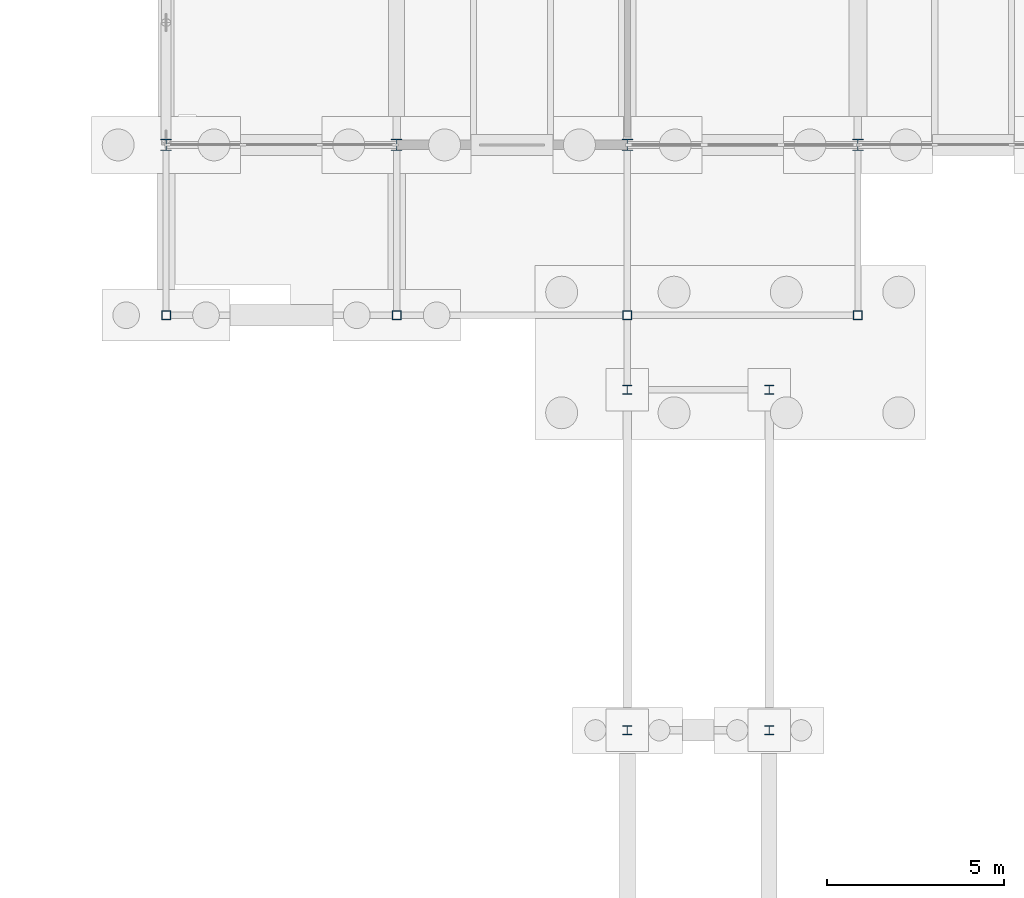
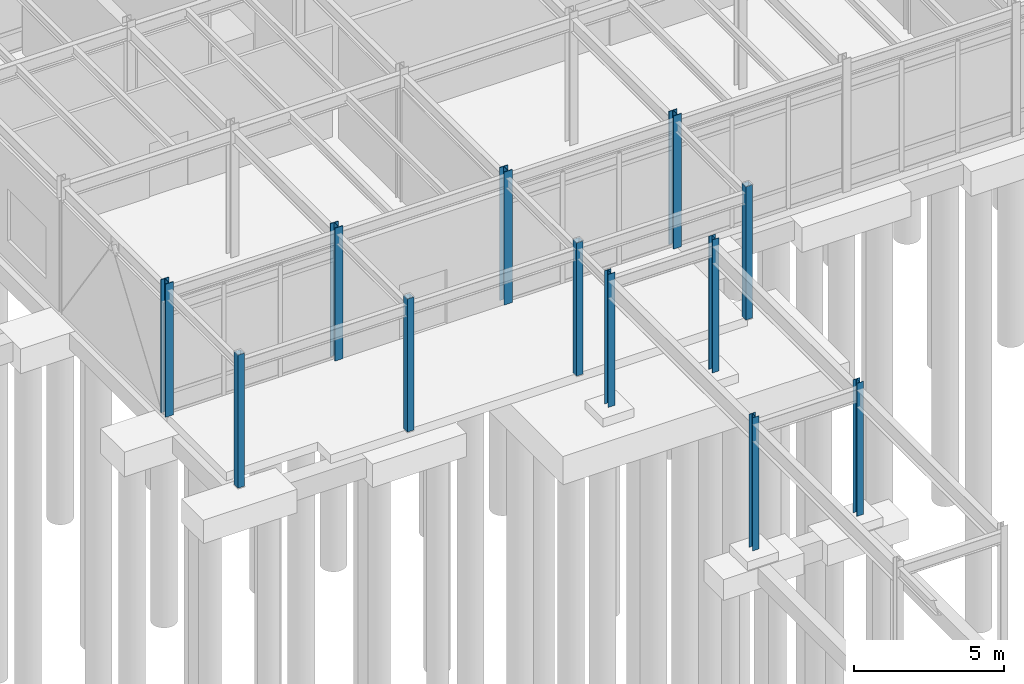
# One storey, part 19 of 82: 12 columns.
"""IFC4 building model written with IfcOpenShell, lengths in metres."""

from ifc_helpers import new_model, si_unit, direction, frame, origin, origin_2d, place, context, subcontext, project, spatial, hollow_rectangle, i_section, extrude, material, material_profile, profile_set, type_object, element, save


model = new_model("IFC4")

# Units and contexts
model_context = context("Model", 3, precision=1e-05, world=origin(), true_north=direction((0.0, 1.0)))
body_context = subcontext(model_context, "Body", "Model", "MODEL_VIEW")
ifc_project = project(units=[si_unit("LENGTHUNIT", "METRE"), si_unit("AREAUNIT", "SQUARE_METRE"), si_unit("VOLUMEUNIT", "CUBIC_METRE"), si_unit("PLANEANGLEUNIT", "RADIAN"), si_unit("MASSUNIT", "GRAM", prefix="KILO")], contexts=[model_context])

# Site, building, storey
site_placement = place(None, origin())
site = spatial("IfcSite", under=ifc_project, at=site_placement, CompositionType="ELEMENT")
building_placement = place(site_placement, origin())
building = spatial("IfcBuilding", under=site, at=building_placement, Name="Trelmorton Wharf Fire Station", CompositionType="ELEMENT")
storey_placement = place(building_placement, origin())
storey = spatial("IfcBuildingStorey", under=building, at=storey_placement, Name="L00", CompositionType="ELEMENT", Elevation=0.0)

# Columns
ifc_material_1 = material(Name="Steel Grade 350", Category="steel")
ifc_material_profile_1 = material_profile(ifc_material_1, i_section(OverallWidth=0.25390625, OverallDepth=0.25390625, WebThickness=0.008544921875, FlangeThickness=0.01416015625, FilletRadius=0.0126953125, at=origin_2d()), Name="250UC72.9")
ifc_profile_set_1 = profile_set([ifc_material_profile_1], Name="Steel Grade 350")
column_type_1 = type_object("IfcColumnType", Name="COL_250UC73", PredefinedType="COLUMN", material=ifc_profile_set_1)
for number, where, z_axis, x_axis, name in (
    (1, (117.0, 43.800048828125, 0.0), (0.0, 0.0, 1.0), (1.0, 0.0, 0.0), "COL-L00-0172"),
    (2, (117.0, 53.39990234375, 0.0), (0.0, 0.0, 1.0), (1.0, 0.0, 0.0), "COL-L00-0173"),
    (3, (121.0, 43.800048828125, 0.0), (0.0, 0.0, 1.0), (1.0, 0.0, 0.0), "COL-L00-0180"),
    (4, (121.0, 53.39990234375, 0.0), (0.0, 0.0, 1.0), (1.0, 0.0, 0.0), "COL-L00-0181"),
):
    element("IfcColumn", number, at=place(storey_placement, frame(where, z_axis=z_axis, x_axis=x_axis)), inside=storey, type_object=column_type_1, Name=name, PredefinedType="COLUMN", context=body_context, shape_type="SweptSolid", body=[
        extrude(i_section(OverallWidth=0.25390625, OverallDepth=0.25390625, WebThickness=0.008544921875, FlangeThickness=0.01416015625, FilletRadius=0.0126953125, at=origin_2d()), origin(), (0.0, 0.0, 1.0), 5.39990234375),
    ])
ifc_material_profile_2 = material_profile(ifc_material_1, i_section(OverallWidth=0.31103515625, OverallDepth=0.326904296875, WebThickness=0.015625, FlangeThickness=0.02490234375, FilletRadius=0.0166015625, at=origin_2d()), Name="310UC158")
ifc_profile_set_2 = profile_set([ifc_material_profile_2], Name="Steel Grade 350")
column_type_2 = type_object("IfcColumnType", Name="COL_310UC158", PredefinedType="COLUMN", material=ifc_profile_set_2)
for number, where, z_axis, x_axis, name in (
    (5, (104.0, 60.300048828125, 0.0), (0.0, 0.0, 1.0), (1.0, 0.0, 0.0), "COL-L00-0152"),
    (6, (110.5, 60.300048828125, 0.0), (0.0, 0.0, 1.0), (1.0, 0.0, 0.0), "COL-L00-0162"),
    (7, (117.0, 60.300048828125, 0.0), (0.0, 0.0, 1.0), (1.0, 0.0, 0.0), "COL-L00-0175"),
    (8, (123.5, 60.300048828125, 0.0), (0.0, 0.0, 1.0), (1.0, 0.0, 0.0), "COL-L00-0188"),
):
    element("IfcColumn", number, at=place(storey_placement, frame(where, z_axis=z_axis, x_axis=x_axis)), inside=storey, type_object=column_type_2, Name=name, PredefinedType="COLUMN", context=body_context, shape_type="SweptSolid", body=[
        extrude(i_section(OverallWidth=0.31103515625, OverallDepth=0.326904296875, WebThickness=0.015625, FlangeThickness=0.02490234375, FilletRadius=0.0166015625, at=origin_2d()), origin(), (0.0, 0.0, 1.0), 5.39990234375),
    ])
ifc_material_2 = material(Name="Signal-red architectural steel Grade 350", Category="steel")
ifc_material_profile_3 = material_profile(ifc_material_2, hollow_rectangle(XDim=0.25, YDim=0.25, WallThickness=0.012451171875, at=origin_2d()), Name="250x250x12.5SHS")
ifc_profile_set_3 = profile_set([ifc_material_profile_3], Name="Signal-red architectural steel Grade 350")
column_type_3 = type_object("IfcColumnType", Name="COL_RED_250SHS", PredefinedType="COLUMN", material=ifc_profile_set_3)
for number, where, z_axis, x_axis, name in (
    (9, (104.0, 55.5, 0.0), (0.0, 0.0, 1.0), (1.0, 0.0, 0.0), "COL-L00-0151"),
    (10, (110.5, 55.5, 0.0), (0.0, 0.0, 1.0), (1.0, 0.0, 0.0), "COL-L00-0161"),
    (11, (117.0, 55.5, 0.0), (0.0, 0.0, 1.0), (1.0, 0.0, 0.0), "COL-L00-0174"),
    (12, (123.5, 55.5, 0.0), (0.0, 0.0, 1.0), (1.0, 0.0, 0.0), "COL-L00-0187"),
):
    element("IfcColumn", number, at=place(storey_placement, frame(where, z_axis=z_axis, x_axis=x_axis)), inside=storey, type_object=column_type_3, Name=name, PredefinedType="COLUMN", context=body_context, shape_type="SweptSolid", body=[
        extrude(hollow_rectangle(XDim=0.25, YDim=0.25, WallThickness=0.012451171875, at=origin_2d()), origin(), (0.0, 0.0, 1.0), 5.39990234375),
    ])

save(model, "model.ifc")
